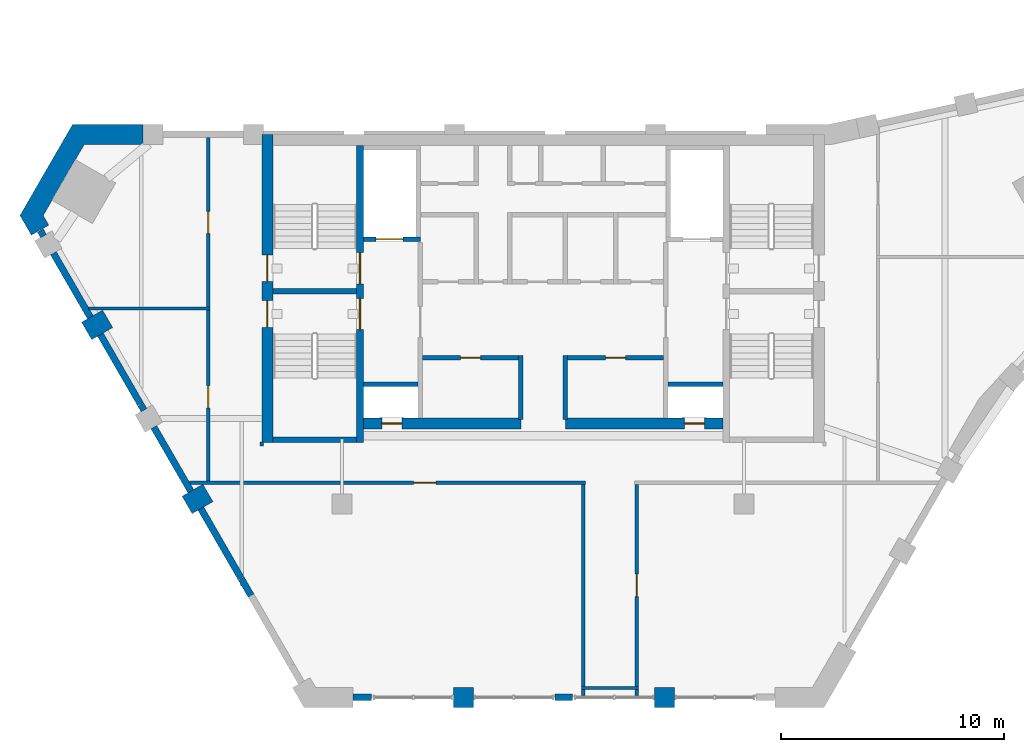
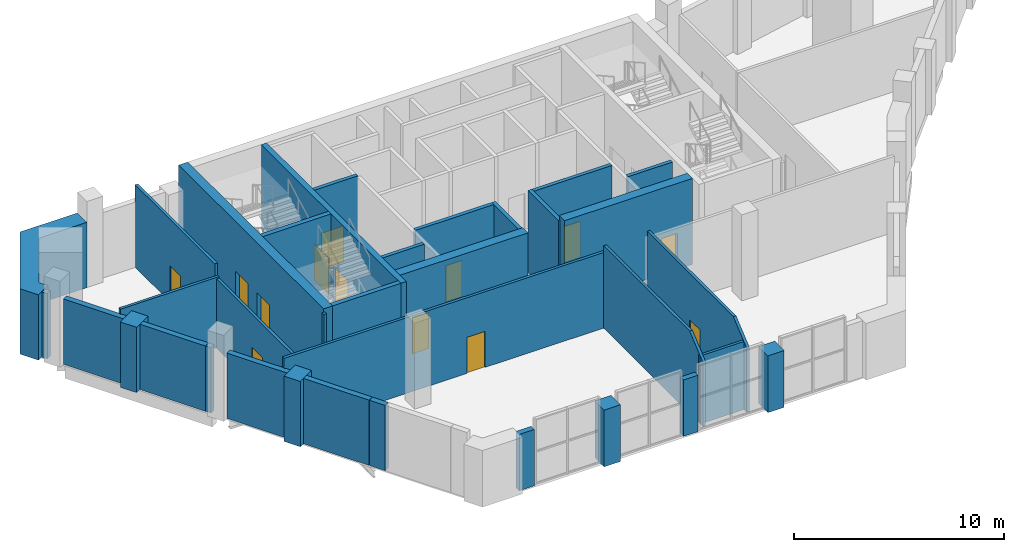
# One storey, part 4 of 9: 35 walls, 13 doors, 13 openings.
"""IFC4 building model written with IfcOpenShell, lengths in metres."""

from ifc_helpers import new_model, si_unit, direction, frame, frame_2d, origin, place, context, subcontext, project, spatial, polyline, rectangle, outline, extrude, material, layer, layer_set, type_object, element, fill, save


model = new_model("IFC4")

# Units and contexts
model_context = context("Model", 3, precision=1e-05, world=origin(), true_north=direction((0.0, 1.0)))
body_context = subcontext(model_context, "Body", "Model", "MODEL_VIEW")
ifc_project = project(units=[si_unit("LENGTHUNIT", "METRE"), si_unit("AREAUNIT", "SQUARE_METRE"), si_unit("VOLUMEUNIT", "CUBIC_METRE"), si_unit("PLANEANGLEUNIT", "RADIAN"), si_unit("MASSUNIT", "GRAM", prefix="KILO")], contexts=[model_context])

# Site, building, storey
site_placement = place(None, origin())
site = spatial("IfcSite", under=ifc_project, at=site_placement, CompositionType="ELEMENT")
building_placement = place(site_placement, origin())
building = spatial("IfcBuilding", under=site, at=building_placement, Name="Calabash Gate Tower", CompositionType="ELEMENT")
storey_placement = place(building_placement, frame((0.0, 0.0, 325.5)))
storey = spatial("IfcBuildingStorey", under=building, at=storey_placement, Name="L76", CompositionType="ELEMENT", Elevation=325.5)

# Walls
ifc_material_1 = material(Name="Terracotta brick masonry, exposed face", Category="masonry")
ifc_layer_1 = layer(ifc_material_1, 0.89990234375)
ifc_layer_set_1 = layer_set([ifc_layer_1], Name="Brick end wall 900")
wall_type_1 = type_object("IfcWallType", Name="Brick end wall 900", PredefinedType="SOLIDWALL", material=ifc_layer_set_1)
wall_1_placement = place(storey_placement, frame((-20.446044921875, 10.248046875, 0.0), z_axis=(0.0, 0.0, 1.0), x_axis=(0.866103179807, 0.499865263774, 0.0)))
element("IfcWall", 1, at=wall_1_placement, inside=storey, type_object=wall_type_1, Name="Brick pier L76 crown0.1", PredefinedType="SOLIDWALL", context=body_context, shape_type="SweptSolid", body=[
    extrude(rectangle(XDim=1.085205078125, YDim=0.89990234375, at=frame_2d((0.54248046875, 0.0))), origin(), (0.0, 0.0, 1.0), 3.800048828125),
])
wall_2_placement = place(storey_placement, frame((-15.946044921875, 2.453857421875, 0.0), z_axis=(0.0, 0.0, 1.0), x_axis=(0.86613636825, 0.499807754637, 0.0)))
element("IfcWall", 2, at=wall_2_placement, inside=storey, type_object=wall_type_1, Name="Brick pier L76 crown0.3", PredefinedType="SOLIDWALL", context=body_context, shape_type="SweptSolid", body=[
    extrude(rectangle(XDim=1.07373046875, YDim=0.89990234375, at=frame_2d((0.536865234375, 0.0))), origin(), (0.0, 0.0, 1.0), 3.800048828125),
])
wall_3_placement = place(storey_placement, origin())
element("IfcWall", 3, at=wall_3_placement, inside=storey, type_object=wall_type_1, Name="Brick pier L76 crown1.1", PredefinedType="SOLIDWALL", context=body_context, shape_type="SweptSolid", body=[
    extrude(outline(polyline([(-3.114013671875, -5.713134765625), (-4.01416015625, -5.713134765625), (-4.01416015625, -6.61328125), (-3.114013671875, -6.61328125), (-3.114013671875, -5.713134765625)])), origin(), (0.0, 0.0, 1.0), 3.29736328125),
])
wall_4_placement = place(storey_placement, origin())
element("IfcWall", 4, at=wall_4_placement, inside=storey, type_object=wall_type_1, Name="Brick pier L76 crown1.3", PredefinedType="SOLIDWALL", context=body_context, shape_type="SweptSolid", body=[
    extrude(outline(polyline([(5.885986328125, -5.713134765625), (4.98583984375, -5.713134765625), (4.98583984375, -6.61328125), (5.885986328125, -6.61328125), (5.885986328125, -5.713134765625)])), origin(), (0.0, 0.0, 1.0), 3.29736328125),
])
wall_5_placement = place(storey_placement, origin())
element("IfcWall", 5, at=wall_5_placement, inside=storey, type_object=wall_type_1, Name="Brick end wall L76 6", PredefinedType="SOLIDWALL", context=body_context, shape_type="SweptSolid", body=[
    extrude(outline(polyline([(-17.915771484375, 18.6025390625), (-17.916015625, 19.50244140625), (-21.072509765625, 19.50244140625), (-23.430908203125, 15.41796875), (-22.9208984375, 14.534912109375), (-22.1416015625, 14.98486328125), (-22.3916015625, 15.41796875), (-20.552978515625, 18.6025390625), (-17.915771484375, 18.6025390625)])), origin(), (0.0, 0.0, 1.0), 3.800048828125),
])
ifc_material_2 = material(Name="Gypsum board on steel studs, mineral wool", Category="steel")
ifc_layer_2 = layer(ifc_material_2, 0.199951171875)
ifc_layer_set_2 = layer_set([ifc_layer_2], Name="Core partition 200 gypsum board")
wall_type_2 = type_object("IfcWallType", Name="Core partition 200 gypsum board", PredefinedType="PARTITIONING", material=ifc_layer_set_2)
for number, where, z_axis, x_axis, name in (
    (6, (-1.0, 6.272705078125, 0.0), (0.0, 0.0, 1.0), (0.0, 1.0, 0.0), "Core partition"),
    (7, (1.0, 6.272705078125, 0.0), (0.0, 0.0, 1.0), (0.0, 1.0, 0.0), "Core partition"),
):
    element("IfcWall", number, at=place(storey_placement, frame(where, z_axis=z_axis, x_axis=x_axis)), inside=storey, type_object=wall_type_2, Name=name, PredefinedType="PARTITIONING", context=body_context, shape_type="SweptSolid", body=[
        extrude(rectangle(XDim=2.8798828125, YDim=0.199951171875, at=frame_2d((1.43994140625, 0.0))), origin(), (0.0, 0.0, 1.0), 4.800048828125),
    ])

# Wall, opening, door
wall_6_placement = place(storey_placement, frame((-5.39990234375, 9.052490234375, 0.0), z_axis=(0.0, 0.0, 1.0), x_axis=(1.0, 0.0, 0.0)))
wall_6 = element("IfcWall", 8, at=wall_6_placement, inside=storey, type_object=wall_type_2, Name="Core partition", PredefinedType="PARTITIONING", context=body_context, shape_type="SweptSolid", body=[
    extrude(rectangle(XDim=4.2998046875, YDim=0.199951171875, at=frame_2d((2.14990234375, 0.0))), origin(), (0.0, 0.0, 1.0), 4.800048828125),
])
opening_1_placement = place(wall_6_placement, frame((1.699951171875, 0.0, 0.0)))
opening_1 = element("IfcOpeningElement", 9, at=opening_1_placement, cuts=wall_6, Name="Opening L76-016", PredefinedType="OPENING", context=body_context, shape_type="SweptSolid", body=[
    extrude(rectangle(XDim=0.89990234375, YDim=2.10009765625, at=frame_2d((0.449951171875, 1.050048828125))), frame((0.0, 0.10986328125, 0.0), z_axis=(0.0, -1.0, 0.0), x_axis=(1.0, 0.0, 0.0)), (0.0, 0.0, 1.0), 0.219970703125),
])
ifc_material_3 = material(Name="Steel fire door set with fire-resisting glazing", Category="steel")
door_type_1 = type_object("IfcDoorType", Name="Fire door D06 900x2100 FD60", OperationType="NOTDEFINED", PredefinedType="DOOR", material=ifc_material_3)
door_1_placement = place(opening_1_placement, origin())
door_1 = element("IfcDoor", 10, at=door_1_placement, inside=storey, type_object=door_type_1, Name="Plant Workshop door", OperationType="SINGLE_SWING_RIGHT", OverallHeight=2.10009765625, OverallWidth=0.89990234375, PredefinedType="DOOR", context=body_context, shape_type="SweptSolid", body=[
    extrude(rectangle(XDim=0.89990234375, YDim=2.10009765625, at=frame_2d((0.449951171875, 1.050048828125))), frame((0.0, 0.02490234375, 0.0), z_axis=(0.0, -1.0, 0.0), x_axis=(1.0, 0.0, 0.0)), (0.0, 0.0, 1.0), 0.050048828125),
])
fill(opening_1, door_1)

wall_7_placement = place(storey_placement, frame((1.10009765625, 9.052490234375, 0.0), z_axis=(0.0, 0.0, 1.0), x_axis=(1.0, 0.0, 0.0)))
wall_7 = element("IfcWall", 11, at=wall_7_placement, inside=storey, type_object=wall_type_2, Name="Core partition", PredefinedType="PARTITIONING", context=body_context, shape_type="SweptSolid", body=[
    extrude(rectangle(XDim=4.2998046875, YDim=0.199951171875, at=frame_2d((2.14990234375, 0.0))), origin(), (0.0, 0.0, 1.0), 4.800048828125),
])
opening_2_placement = place(wall_7_placement, frame((1.699951171875, 0.0, 0.0)))
opening_2 = element("IfcOpeningElement", 12, at=opening_2_placement, cuts=wall_7, Name="Opening L76-017", PredefinedType="OPENING", context=body_context, shape_type="SweptSolid", body=[
    extrude(rectangle(XDim=0.89990234375, YDim=2.10009765625, at=frame_2d((0.449951171875, 1.050048828125))), frame((0.0, 0.10986328125, 0.0), z_axis=(0.0, -1.0, 0.0), x_axis=(1.0, 0.0, 0.0)), (0.0, 0.0, 1.0), 0.219970703125),
])
door_2_placement = place(opening_2_placement, origin())
door_2 = element("IfcDoor", 13, at=door_2_placement, inside=storey, type_object=door_type_1, Name="Plant Spares Store door", OperationType="SINGLE_SWING_LEFT", OverallHeight=2.10009765625, OverallWidth=0.89990234375, PredefinedType="DOOR", context=body_context, shape_type="SweptSolid", body=[
    extrude(rectangle(XDim=0.89990234375, YDim=2.10009765625, at=frame_2d((0.449951171875, 1.050048828125))), frame((0.0, 0.02490234375, 0.0), z_axis=(0.0, -1.0, 0.0), x_axis=(1.0, 0.0, 0.0)), (0.0, 0.0, 1.0), 0.050048828125),
])
fill(opening_2, door_2)

# Walls
ifc_material_4 = material(Name="Concrete C60/75", Category="concrete")
ifc_layer_3 = layer(ifc_material_4, 0.25)
ifc_layer_set_3 = layer_set([ifc_layer_3], Name="Core wall 250 Concrete C60/75")
wall_type_3 = type_object("IfcWallType", Name="Core wall 250 Concrete C60/75", PredefinedType="SHEAR", material=ifc_layer_set_3)
for number, where, z_axis, x_axis, name in (
    (14, (-12.10009765625, 12.027587890625, 0.0), (0.0, 0.0, 1.0), (1.0, 0.0, 0.0), "Core wall C-MIDW L76"),
    (15, (-12.10009765625, 5.377685546875, 0.0), (0.0, 0.0, 1.0), (1.0, 0.0, 0.0), "Core wall C-SSW L76"),
):
    element("IfcWall", number, at=place(storey_placement, frame(where, z_axis=z_axis, x_axis=x_axis)), inside=storey, type_object=wall_type_3, Name=name, PredefinedType="SHEAR", context=body_context, shape_type="SweptSolid", body=[
        extrude(rectangle(XDim=3.75, YDim=0.25, at=frame_2d((1.875, 0.0))), origin(), (0.0, 0.0, 1.0), 5.0),
    ])

# Wall, openings, doors
ifc_material_5 = material(Name="Concrete C60/75", Category="concrete")
ifc_layer_4 = layer(ifc_material_5, 0.300048828125)
ifc_layer_set_4 = layer_set([ifc_layer_4], Name="Core wall 300 Concrete C60/75")
wall_type_4 = type_object("IfcWallType", Name="Core wall 300 Concrete C60/75", PredefinedType="SHEAR", material=ifc_layer_set_4)
wall_8_placement = place(storey_placement, frame((-8.199951171875, 5.252685546875, 0.0), z_axis=(0.0, 0.0, 1.0), x_axis=(0.0, 1.0, 0.0)))
wall_8 = element("IfcWall", 16, at=wall_8_placement, inside=storey, type_object=wall_type_4, Name="Core wall C-PARTW L76", PredefinedType="SHEAR", context=body_context, shape_type="SweptSolid", body=[
    extrude(rectangle(XDim=13.2998046875, YDim=0.300048828125, at=frame_2d((6.64990234375, 0.0))), origin(), (0.0, 0.0, 1.0), 5.0),
])
opening_3_placement = place(wall_8_placement, frame((7.10009765625, 0.0, 0.0)))
opening_3 = element("IfcOpeningElement", 17, at=opening_3_placement, cuts=wall_8, Name="Opening L76-001", PredefinedType="OPENING", context=body_context, shape_type="SweptSolid", body=[
    extrude(rectangle(XDim=1.39990234375, YDim=2.10009765625, at=frame_2d((0.699951171875, 1.050048828125))), frame((0.0, 0.159912109375, 0.0), z_axis=(0.0, -1.0, 0.0), x_axis=(1.0, 0.0, 0.0)), (0.0, 0.0, 1.0), 0.320068359375),
])
opening_4_placement = place(wall_8_placement, frame((5.050048828125, 0.0, 0.0)))
opening_4 = element("IfcOpeningElement", 18, at=opening_4_placement, cuts=wall_8, Name="Opening L76-002", PredefinedType="OPENING", context=body_context, shape_type="SweptSolid", body=[
    extrude(rectangle(XDim=1.39990234375, YDim=2.10009765625, at=frame_2d((0.699951171875, 1.050048828125))), frame((0.0, 0.159912109375, 0.0), z_axis=(0.0, -1.0, 0.0), x_axis=(1.0, 0.0, 0.0)), (0.0, 0.0, 1.0), 0.320068359375),
])
ifc_material_6 = material(Name="Steel fire door set with fire-resisting glazing", Category="steel")
door_type_2 = type_object("IfcDoorType", Name="Fire door D05 1400x2100 FD90", OperationType="NOTDEFINED", PredefinedType="DOOR", material=ifc_material_6)
door_3_placement = place(opening_3_placement, origin())
door_3 = element("IfcDoor", 19, at=door_3_placement, inside=storey, type_object=door_type_2, Name="Exit stair door ST1", OperationType="SINGLE_SWING_LEFT", OverallHeight=2.10009765625, OverallWidth=1.39990234375, PredefinedType="DOOR", context=body_context, shape_type="SweptSolid", body=[
    extrude(rectangle(XDim=1.39990234375, YDim=2.10009765625, at=frame_2d((0.699951171875, 1.050048828125))), frame((0.0, 0.02490234375, 0.0), z_axis=(0.0, -1.0, 0.0), x_axis=(1.0, 0.0, 0.0)), (0.0, 0.0, 1.0), 0.050048828125),
])
fill(opening_3, door_3)
door_4_placement = place(opening_4_placement, origin())
door_4 = element("IfcDoor", 20, at=door_4_placement, inside=storey, type_object=door_type_2, Name="Exit stair door ST2", OperationType="SINGLE_SWING_LEFT", OverallHeight=2.10009765625, OverallWidth=1.39990234375, PredefinedType="DOOR", context=body_context, shape_type="SweptSolid", body=[
    extrude(rectangle(XDim=1.39990234375, YDim=2.10009765625, at=frame_2d((0.699951171875, 1.050048828125))), frame((0.0, 0.02490234375, 0.0), z_axis=(0.0, -1.0, 0.0), x_axis=(1.0, 0.0, 0.0)), (0.0, 0.0, 1.0), 0.050048828125),
])
fill(opening_4, door_4)

ifc_material_7 = material(Name="Concrete C60/75", Category="concrete")
ifc_layer_5 = layer(ifc_material_7, 0.5)
ifc_layer_set_5 = layer_set([ifc_layer_5], Name="Core wall 500 Concrete C60/75")
wall_type_5 = type_object("IfcWallType", Name="Core wall 500 Concrete C60/75", PredefinedType="SHEAR", material=ifc_layer_set_5)
wall_9_placement = place(storey_placement, frame((-12.35009765625, 5.252685546875, 0.0), z_axis=(0.0, 0.0, 1.0), x_axis=(0.0, 1.0, 0.0)))
wall_9 = element("IfcWall", 21, at=wall_9_placement, inside=storey, type_object=wall_type_5, Name="Core wall C-COLW L76", PredefinedType="SHEAR", context=body_context, shape_type="SweptSolid", body=[
    extrude(rectangle(XDim=13.7998046875, YDim=0.5, at=frame_2d((6.89990234375, 0.0))), origin(), (0.0, 0.0, 1.0), 5.0),
])
opening_5_placement = place(wall_9_placement, frame((7.199951171875, 0.0, 0.0)))
opening_5 = element("IfcOpeningElement", 22, at=opening_5_placement, cuts=wall_9, Name="Opening L76-005", PredefinedType="OPENING", context=body_context, shape_type="SweptSolid", body=[
    extrude(rectangle(XDim=1.199951171875, YDim=2.10009765625, at=frame_2d((0.60009765625, 1.050048828125))), frame((0.0, 0.260009765625, 0.0), z_axis=(0.0, -1.0, 0.0), x_axis=(1.0, 0.0, 0.0)), (0.0, 0.0, 1.0), 0.52001953125),
])
opening_6_placement = place(wall_9_placement, frame((5.14990234375, 0.0, 0.0)))
opening_6 = element("IfcOpeningElement", 23, at=opening_6_placement, cuts=wall_9, Name="Opening L76-006", PredefinedType="OPENING", context=body_context, shape_type="SweptSolid", body=[
    extrude(rectangle(XDim=1.199951171875, YDim=2.10009765625, at=frame_2d((0.60009765625, 1.050048828125))), frame((0.0, 0.260009765625, 0.0), z_axis=(0.0, -1.0, 0.0), x_axis=(1.0, 0.0, 0.0)), (0.0, 0.0, 1.0), 0.52001953125),
])
ifc_material_8 = material(Name="Steel fire door set with fire-resisting glazing", Category="steel")
door_type_3 = type_object("IfcDoorType", Name="Fire door D10 1200x2100 FD90", OperationType="NOTDEFINED", PredefinedType="DOOR", material=ifc_material_8)
door_5_placement = place(opening_5_placement, origin())
door_5 = element("IfcDoor", 24, at=door_5_placement, inside=storey, type_object=door_type_3, Name="Exit stair door ST1", OperationType="SINGLE_SWING_RIGHT", OverallHeight=2.10009765625, OverallWidth=1.199951171875, PredefinedType="DOOR", context=body_context, shape_type="SweptSolid", body=[
    extrude(rectangle(XDim=1.199951171875, YDim=2.10009765625, at=frame_2d((0.60009765625, 1.050048828125))), frame((0.0, 0.02490234375, 0.0), z_axis=(0.0, -1.0, 0.0), x_axis=(1.0, 0.0, 0.0)), (0.0, 0.0, 1.0), 0.050048828125),
])
fill(opening_5, door_5)
door_6_placement = place(opening_6_placement, origin())
door_6 = element("IfcDoor", 25, at=door_6_placement, inside=storey, type_object=door_type_3, Name="Exit stair door ST2", OperationType="SINGLE_SWING_LEFT", OverallHeight=2.10009765625, OverallWidth=1.199951171875, PredefinedType="DOOR", context=body_context, shape_type="SweptSolid", body=[
    extrude(rectangle(XDim=1.199951171875, YDim=2.10009765625, at=frame_2d((0.60009765625, 1.050048828125))), frame((0.0, 0.02490234375, 0.0), z_axis=(0.0, -1.0, 0.0), x_axis=(1.0, 0.0, 0.0)), (0.0, 0.0, 1.0), 0.050048828125),
])
fill(opening_6, door_6)

# Wall, opening, door
wall_10_placement = place(storey_placement, frame((-8.050048828125, 6.1025390625, 0.0), z_axis=(0.0, 0.0, 1.0), x_axis=(1.0, 0.0, 0.0)))
wall_10 = element("IfcWall", 26, at=wall_10_placement, inside=storey, type_object=wall_type_5, Name="Core wall C-SA L76", PredefinedType="SHEAR", context=body_context, shape_type="SweptSolid", body=[
    extrude(rectangle(XDim=7.050048828125, YDim=0.5, at=frame_2d((3.52490234375, 0.0))), origin(), (0.0, 0.0, 1.0), 5.0),
])
opening_7_placement = place(wall_10_placement, frame((0.824951171875, 0.0, 0.0)))
opening_7 = element("IfcOpeningElement", 27, at=opening_7_placement, cuts=wall_10, Name="Opening L76-022", PredefinedType="OPENING", context=body_context, shape_type="SweptSolid", body=[
    extrude(rectangle(XDim=0.89990234375, YDim=2.10009765625, at=frame_2d((0.449951171875, 1.050048828125))), frame((0.0, 0.260009765625, 0.0), z_axis=(0.0, -1.0, 0.0), x_axis=(1.0, 0.0, 0.0)), (0.0, 0.0, 1.0), 0.52001953125),
])
ifc_material_9 = material(Name="Steel fire door set with fire-resisting glazing", Category="steel")
door_type_4 = type_object("IfcDoorType", Name="Fire door D07 900x2100 FD90", OperationType="NOTDEFINED", PredefinedType="DOOR", material=ifc_material_9)
door_7_placement = place(opening_7_placement, origin())
door_7 = element("IfcDoor", 28, at=door_7_placement, inside=storey, type_object=door_type_4, Name="Electrical Riser W door", OperationType="SINGLE_SWING_LEFT", OverallHeight=2.10009765625, OverallWidth=0.89990234375, PredefinedType="DOOR", context=body_context, shape_type="SweptSolid", body=[
    extrude(rectangle(XDim=0.89990234375, YDim=2.10009765625, at=frame_2d((0.449951171875, 1.050048828125))), frame((0.0, 0.02490234375, 0.0), z_axis=(0.0, -1.0, 0.0), x_axis=(1.0, 0.0, 0.0)), (0.0, 0.0, 1.0), 0.050048828125),
])
fill(opening_7, door_7)

wall_11_placement = place(storey_placement, frame((1.0, 6.1025390625, 0.0), z_axis=(0.0, 0.0, 1.0), x_axis=(1.0, 0.0, 0.0)))
wall_11 = element("IfcWall", 29, at=wall_11_placement, inside=storey, type_object=wall_type_5, Name="Core wall C-SB L76", PredefinedType="SHEAR", context=body_context, shape_type="SweptSolid", body=[
    extrude(rectangle(XDim=7.050048828125, YDim=0.5, at=frame_2d((3.52490234375, 0.0))), origin(), (0.0, 0.0, 1.0), 5.0),
])
opening_8_placement = place(wall_11_placement, frame((5.324951171875, 0.0, 0.0)))
opening_8 = element("IfcOpeningElement", 30, at=opening_8_placement, cuts=wall_11, Name="Opening L76-023", PredefinedType="OPENING", context=body_context, shape_type="SweptSolid", body=[
    extrude(rectangle(XDim=0.89990234375, YDim=2.10009765625, at=frame_2d((0.449951171875, 1.050048828125))), frame((0.0, 0.260009765625, 0.0), z_axis=(0.0, -1.0, 0.0), x_axis=(1.0, 0.0, 0.0)), (0.0, 0.0, 1.0), 0.52001953125),
])
door_8_placement = place(opening_8_placement, origin())
door_8 = element("IfcDoor", 31, at=door_8_placement, inside=storey, type_object=door_type_4, Name="Mechanical Riser E door", OperationType="SINGLE_SWING_RIGHT", OverallHeight=2.10009765625, OverallWidth=0.89990234375, PredefinedType="DOOR", context=body_context, shape_type="SweptSolid", body=[
    extrude(rectangle(XDim=0.89990234375, YDim=2.10009765625, at=frame_2d((0.449951171875, 1.050048828125))), frame((0.0, 0.02490234375, 0.0), z_axis=(0.0, -1.0, 0.0), x_axis=(1.0, 0.0, 0.0)), (0.0, 0.0, 1.0), 0.050048828125),
])
fill(opening_8, door_8)

# Walls
ifc_material_10 = material(Name="Gypsum board on steel studs, mineral wool", Category="steel")
ifc_layer_6 = layer(ifc_material_10, 0.14990234375)
ifc_layer_set_6 = layer_set([ifc_layer_6], Name="Partition 150 gypsum board")
wall_type_6 = type_object("IfcWallType", Name="Partition 150 gypsum board", PredefinedType="PARTITIONING", material=ifc_layer_set_6)
wall_12_placement = place(storey_placement, frame((1.72509765625, -5.747314453125, 0.0), z_axis=(0.0, 0.0, 1.0), x_axis=(1.0, 0.0, 0.0)))
element("IfcWall", 32, at=wall_12_placement, inside=storey, type_object=wall_type_6, Name="Partition", PredefinedType="PARTITIONING", context=body_context, shape_type="SweptSolid", body=[
    extrude(rectangle(XDim=2.5498046875, YDim=0.14990234375, at=frame_2d((1.27490234375, 0.0))), origin(), (0.0, 0.0, 1.0), 3.9609375),
])
wall_13_placement = place(storey_placement, frame((1.800048828125, -6.083251953125, 0.0), z_axis=(0.0, 0.0, 1.0), x_axis=(0.0, 1.0, 0.0)))
element("IfcWall", 33, at=wall_13_placement, inside=storey, type_object=wall_type_6, Name="Partition", PredefinedType="PARTITIONING", context=body_context, shape_type="SweptSolid", body=[
    extrude(outline(polyline([(0.0, 0.0), (9.4609375, 0.0), (9.460693359375, 4.800048828125), (1.2607421875, 4.800048828125), (0.0, 3.7421875), (0.0, 0.0)])), frame((0.0, 0.074951171875, 0.0), z_axis=(0.0, -1.0, 0.0), x_axis=(1.0, 0.0, 0.0)), (0.0, 0.0, 1.0), 0.14990234375),
])

# Wall, opening, door
wall_14_placement = place(storey_placement, frame((4.199951171875, -6.083251953125, 0.0), z_axis=(0.0, 0.0, 1.0), x_axis=(0.0, 1.0, 0.0)))
wall_14 = element("IfcWall", 34, at=wall_14_placement, inside=storey, type_object=wall_type_6, Name="Partition", PredefinedType="PARTITIONING", context=body_context, shape_type="SweptSolid", body=[
    extrude(outline(polyline([(0.0, 0.0), (9.4609375, 0.0), (9.460693359375, 4.800048828125), (1.2607421875, 4.800048828125), (0.0, 3.7421875), (0.0, 0.0)])), frame((0.0, 0.074951171875, 0.0), z_axis=(0.0, -1.0, 0.0), x_axis=(1.0, 0.0, 0.0)), (0.0, 0.0, 1.0), 0.14990234375),
])
opening_9_placement = place(wall_14_placement, frame((4.435791015625, 0.0, 0.0)))
opening_9 = element("IfcOpeningElement", 35, at=opening_9_placement, cuts=wall_14, Name="Opening L76-029", PredefinedType="OPENING", context=body_context, shape_type="SweptSolid", body=[
    extrude(rectangle(XDim=1.0, YDim=2.10009765625, at=frame_2d((0.5, 1.050048828125))), frame((0.0, 0.0849609375, 0.0), z_axis=(0.0, -1.0, 0.0), x_axis=(1.0, 0.0, 0.0)), (0.0, 0.0, 1.0), 0.169921875),
])
ifc_material_11 = material(Name="Steel fire door set with fire-resisting glazing", Category="steel")
door_type_5 = type_object("IfcDoorType", Name="Fire door D11 1000x2100 FD60", OperationType="NOTDEFINED", PredefinedType="DOOR", material=ifc_material_11)
door_9_placement = place(opening_9_placement, origin())
door_9 = element("IfcDoor", 36, at=door_9_placement, inside=storey, type_object=door_type_5, Name="Generator Room door", OperationType="SINGLE_SWING_RIGHT", OverallHeight=2.10009765625, OverallWidth=1.0, PredefinedType="DOOR", context=body_context, shape_type="SweptSolid", body=[
    extrude(rectangle(XDim=1.0, YDim=2.10009765625, at=frame_2d((0.5, 1.050048828125))), frame((0.0, 0.02490234375, 0.0), z_axis=(0.0, -1.0, 0.0), x_axis=(1.0, 0.0, 0.0)), (0.0, 0.0, 1.0), 0.050048828125),
])
fill(opening_9, door_9)

wall_15_placement = place(storey_placement, frame((-15.849853515625, 3.45263671875, 0.0), z_axis=(0.0, 0.0, 1.0), x_axis=(1.0, 0.0, 0.0)))
wall_15 = element("IfcWall", 37, at=wall_15_placement, inside=storey, type_object=wall_type_6, Name="Partition", PredefinedType="PARTITIONING", context=body_context, shape_type="SweptSolid", body=[
    extrude(rectangle(XDim=17.7548828125, YDim=0.14990234375, at=frame_2d((8.87744140625, 0.0))), origin(), (0.0, 0.0, 1.0), 4.401611328125),
])
opening_10_placement = place(wall_15_placement, frame((10.0498046875, 0.0, 0.0)))
opening_10 = element("IfcOpeningElement", 38, at=opening_10_placement, cuts=wall_15, Name="Opening L76-028", PredefinedType="OPENING", context=body_context, shape_type="SweptSolid", body=[
    extrude(rectangle(XDim=1.0, YDim=2.10009765625, at=frame_2d((0.5, 1.050048828125))), frame((0.0, 0.0849609375, 0.0), z_axis=(0.0, -1.0, 0.0), x_axis=(1.0, 0.0, 0.0)), (0.0, 0.0, 1.0), 0.169921875),
])
door_10_placement = place(opening_10_placement, origin())
door_10 = element("IfcDoor", 39, at=door_10_placement, inside=storey, type_object=door_type_5, Name="Smoke Extract Plant Room door", OperationType="SINGLE_SWING_RIGHT", OverallHeight=2.10009765625, OverallWidth=1.0, PredefinedType="DOOR", context=body_context, shape_type="SweptSolid", body=[
    extrude(rectangle(XDim=1.0, YDim=2.10009765625, at=frame_2d((0.5, 1.050048828125))), frame((0.0, 0.02490234375, 0.0), z_axis=(0.0, -1.0, 0.0), x_axis=(1.0, 0.0, 0.0)), (0.0, 0.0, 1.0), 0.050048828125),
])
fill(opening_10, door_10)

wall_16_placement = place(storey_placement, frame((-15.0, 3.527587890625, 0.0), z_axis=(0.0, 0.0, 1.0), x_axis=(0.0, 1.0, 0.0)))
wall_16 = element("IfcWall", 40, at=wall_16_placement, inside=storey, type_object=wall_type_6, Name="Partition", PredefinedType="PARTITIONING", context=body_context, shape_type="SweptSolid", body=[
    extrude(rectangle(XDim=7.64990234375, YDim=0.14990234375, at=frame_2d((3.824951171875, 0.0))), origin(), (0.0, 0.0, 1.0), 4.02001953125),
])
opening_11_placement = place(wall_16_placement, frame((3.27490234375, 0.0, 0.0)))
opening_11 = element("IfcOpeningElement", 41, at=opening_11_placement, cuts=wall_16, Name="Opening L76-025", PredefinedType="OPENING", context=body_context, shape_type="SweptSolid", body=[
    extrude(rectangle(XDim=1.0, YDim=2.10009765625, at=frame_2d((0.5, 1.050048828125))), frame((0.0, 0.0849609375, 0.0), z_axis=(0.0, -1.0, 0.0), x_axis=(1.0, 0.0, 0.0)), (0.0, 0.0, 1.0), 0.169921875),
])
door_11_placement = place(opening_11_placement, origin())
door_11 = element("IfcDoor", 42, at=door_11_placement, inside=storey, type_object=door_type_5, Name="Water Tank Room door", OperationType="SINGLE_SWING_RIGHT", OverallHeight=2.10009765625, OverallWidth=1.0, PredefinedType="DOOR", context=body_context, shape_type="SweptSolid", body=[
    extrude(rectangle(XDim=1.0, YDim=2.10009765625, at=frame_2d((0.5, 1.050048828125))), frame((0.0, 0.02490234375, 0.0), z_axis=(0.0, -1.0, 0.0), x_axis=(1.0, 0.0, 0.0)), (0.0, 0.0, 1.0), 0.050048828125),
])
fill(opening_11, door_11)

# Walls
wall_17_placement = place(storey_placement, frame((-12.60009765625, 5.09765625, 0.0), z_axis=(0.0, 0.0, 1.0), x_axis=(0.0, 1.0, 0.0)))
element("IfcWall", 43, at=wall_17_placement, inside=storey, type_object=wall_type_6, Name="Partition", PredefinedType="PARTITIONING", context=body_context, shape_type="SweptSolid", body=[
    extrude(rectangle(XDim=0.179931640625, YDim=0.14990234375, at=frame_2d((0.08984375, 0.0))), origin(), (0.0, 0.0, 1.0), 4.800048828125),
])
wall_18_placement = place(storey_placement, frame((-20.35302734375, 11.252685546875, 0.0), z_axis=(0.0, 0.0, 1.0), x_axis=(1.0, 0.0, 0.0)))
element("IfcWall", 44, at=wall_18_placement, inside=storey, type_object=wall_type_6, Name="Partition", PredefinedType="PARTITIONING", context=body_context, shape_type="SweptSolid", body=[
    extrude(rectangle(XDim=5.427978515625, YDim=0.14990234375, at=frame_2d((2.7138671875, 0.0))), origin(), (0.0, 0.0, 1.0), 4.10009765625),
])

# Wall, opening, door
wall_19_placement = place(storey_placement, frame((-15.0, 11.32763671875, 0.0), z_axis=(0.0, 0.0, 1.0), x_axis=(0.0, 1.0, 0.0)))
wall_19 = element("IfcWall", 45, at=wall_19_placement, inside=storey, type_object=wall_type_6, Name="Partition", PredefinedType="PARTITIONING", context=body_context, shape_type="SweptSolid", body=[
    extrude(rectangle(XDim=7.594970703125, YDim=0.14990234375, at=frame_2d((3.79736328125, 0.0))), origin(), (0.0, 0.0, 1.0), 4.800048828125),
])
opening_12_placement = place(wall_19_placement, frame((3.27490234375, 0.0, 0.0)))
opening_12 = element("IfcOpeningElement", 46, at=opening_12_placement, cuts=wall_19, Name="Opening L76-024", PredefinedType="OPENING", context=body_context, shape_type="SweptSolid", body=[
    extrude(rectangle(XDim=1.0, YDim=2.10009765625, at=frame_2d((0.5, 1.050048828125))), frame((0.0, 0.0849609375, 0.0), z_axis=(0.0, -1.0, 0.0), x_axis=(1.0, 0.0, 0.0)), (0.0, 0.0, 1.0), 0.169921875),
])
door_12_placement = place(opening_12_placement, origin())
door_12 = element("IfcDoor", 47, at=door_12_placement, inside=storey, type_object=door_type_5, Name="Smoke Extract Plant Room door", OperationType="SINGLE_SWING_LEFT", OverallHeight=2.10009765625, OverallWidth=1.0, PredefinedType="DOOR", context=body_context, shape_type="SweptSolid", body=[
    extrude(rectangle(XDim=1.0, YDim=2.10009765625, at=frame_2d((0.5, 1.050048828125))), frame((0.0, 0.02490234375, 0.0), z_axis=(0.0, -1.0, 0.0), x_axis=(1.0, 0.0, 0.0)), (0.0, 0.0, 1.0), 0.050048828125),
])
fill(opening_12, door_12)

# Walls
ifc_material_12 = material(Name="Concrete C40/50", Category="concrete")
ifc_layer_7 = layer(ifc_material_12, 0.199951171875)
ifc_layer_set_7 = layer_set([ifc_layer_7], Name="Shaft wall 200 Concrete C40/50")
wall_type_7 = type_object("IfcWallType", Name="Shaft wall 200 Concrete C40/50", PredefinedType="SOLIDWALL", material=ifc_layer_set_7)
for number, where, z_axis, x_axis, name in (
    (48, (-8.050048828125, 7.8525390625, 0.0), (0.0, 0.0, 1.0), (1.0, 0.0, 0.0), "Shaft wall"),
    (49, (5.60009765625, 7.8525390625, 0.0), (0.0, 0.0, 1.0), (1.0, 0.0, 0.0), "Shaft wall"),
):
    element("IfcWall", number, at=place(storey_placement, frame(where, z_axis=z_axis, x_axis=x_axis)), inside=storey, type_object=wall_type_7, Name=name, PredefinedType="SOLIDWALL", context=body_context, shape_type="SweptSolid", body=[
        extrude(rectangle(XDim=2.449951171875, YDim=0.199951171875, at=frame_2d((1.22509765625, 0.0))), origin(), (0.0, 0.0, 1.0), 4.800048828125),
    ])

# Wall, opening, door
wall_20_placement = place(storey_placement, frame((-8.050048828125, 14.3525390625, 0.0), z_axis=(0.0, 0.0, 1.0), x_axis=(1.0, 0.0, 0.0)))
wall_20 = element("IfcWall", 50, at=wall_20_placement, inside=storey, type_object=wall_type_7, Name="Shaft wall", PredefinedType="SOLIDWALL", context=body_context, shape_type="SweptSolid", body=[
    extrude(rectangle(XDim=2.550048828125, YDim=0.199951171875, at=frame_2d((1.27490234375, 0.0))), origin(), (0.0, 0.0, 1.0), 4.800048828125),
])
opening_13_placement = place(wall_20_placement, frame((0.574951171875, 0.0, 0.0)))
opening_13 = element("IfcOpeningElement", 51, at=opening_13_placement, cuts=wall_20, Name="Opening LD-FF1", PredefinedType="OPENING", context=body_context, shape_type="SweptSolid", body=[
    extrude(rectangle(XDim=1.199951171875, YDim=2.10009765625, at=frame_2d((0.60009765625, 1.050048828125))), frame((0.0, 0.10986328125, 0.0), z_axis=(0.0, -1.0, 0.0), x_axis=(1.0, 0.0, 0.0)), (0.0, 0.0, 1.0), 0.219970703125),
])
ifc_material_13 = material(Name="Stainless steel sliding door leaves", Category="steel")
door_type_6 = type_object("IfcDoorType", Name="Lift landing door LS3 1200x2100 FD90", OperationType="DOUBLE_DOOR_SLIDING", PredefinedType="DOOR", material=ifc_material_13)
door_13_placement = place(opening_13_placement, origin())
door_13 = element("IfcDoor", 52, at=door_13_placement, inside=storey, type_object=door_type_6, Name="Lift landing door FF1", OperationType="DOUBLE_DOOR_SLIDING", OverallHeight=2.10009765625, OverallWidth=1.199951171875, PredefinedType="DOOR", context=body_context, shape_type="SweptSolid", body=[
    extrude(rectangle(XDim=1.199951171875, YDim=2.10009765625, at=frame_2d((0.60009765625, 1.050048828125))), frame((0.0, 0.02490234375, 0.0), z_axis=(0.0, -1.0, 0.0), x_axis=(1.0, 0.0, 0.0)), (0.0, 0.0, 1.0), 0.050048828125),
])
fill(opening_13, door_13)

# Walls
ifc_material_14 = material(Name="Terracotta louvre blades in an aluminium frame", Category="masonry")
ifc_layer_8 = layer(ifc_material_14, 0.300048828125)
ifc_layer_set_8 = layer_set([ifc_layer_8], Name="Terracotta louvre wall 300")
wall_type_8 = type_object("IfcWallType", Name="Terracotta louvre wall 300", PredefinedType="ELEMENTEDWALL", material=ifc_layer_set_8)
wall_21_placement = place(storey_placement, origin())
element("IfcWall", 53, at=wall_21_placement, inside=storey, type_object=wall_type_8, Name="LOUVRE L76 crown0.1", PredefinedType="ELEMENTEDWALL", context=body_context, shape_type="SweptSolid", body=[
    extrude(outline(polyline([(-20.1513671875, 10.937744140625), (-21.806884765625, 13.805419921875), (-22.066650390625, 13.6552734375), (-20.4111328125, 10.787841796875), (-20.1513671875, 10.937744140625)])), origin(), (0.0, 0.0, 1.0), 3.800048828125),
])
wall_22_placement = place(storey_placement, frame((-19.831298828125, 10.083251953125, 0.0), z_axis=(0.0, 0.0, 1.0), x_axis=(0.500012057535, -0.866018442252, 0.0)))
element("IfcWall", 54, at=wall_22_placement, inside=storey, type_object=wall_type_8, Name="LOUVRE L76 crown0.2", PredefinedType="ELEMENTEDWALL", context=body_context, shape_type="SweptSolid", body=[
    extrude(rectangle(XDim=3.60009765625, YDim=0.300048828125, at=frame_2d((1.800048828125, 0.0))), origin(), (0.0, 0.0, 1.0), 3.800048828125),
])
wall_23_placement = place(storey_placement, origin())
element("IfcWall", 55, at=wall_23_placement, inside=storey, type_object=wall_type_8, Name="LOUVRE L76 crown0.3", PredefinedType="ELEMENTEDWALL", context=body_context, shape_type="SweptSolid", body=[
    extrude(outline(polyline([(-15.6513671875, 3.1435546875), (-17.30712890625, 6.01123046875), (-17.56689453125, 5.861328125), (-15.9111328125, 2.99365234375), (-15.6513671875, 3.1435546875)])), origin(), (0.0, 0.0, 1.0), 3.800048828125),
])
wall_24_placement = place(storey_placement, frame((-15.331298828125, 2.2890625, 0.0), z_axis=(0.0, 0.0, 1.0), x_axis=(0.500012057535, -0.866018442252, 0.0)))
element("IfcWall", 56, at=wall_24_placement, inside=storey, type_object=wall_type_8, Name="LOUVRE L76 crown0.4", PredefinedType="ELEMENTEDWALL", context=body_context, shape_type="SweptSolid", body=[
    extrude(rectangle(XDim=3.60009765625, YDim=0.300048828125, at=frame_2d((1.800048828125, 0.0))), origin(), (0.0, 0.0, 1.0), 3.800048828125),
])
for number, where, z_axis, x_axis, name in (
    (57, (-22.57861328125, 14.5419921875, 0.0), (0.0, 0.0, 1.0), (0.866131372301, 0.499816412211, 0.0), "LOUVRE L76 edge crown0.c1"),
    (58, (-18.07861328125, 6.747802734375, 0.0), (0.0, 0.0, 1.0), (0.866131372301, 0.499816412211, 0.0), "LOUVRE L76 edge crown0.c2"),
):
    element("IfcWall", number, at=place(storey_placement, frame(where, z_axis=z_axis, x_axis=x_axis)), inside=storey, type_object=wall_type_8, Name=name, PredefinedType="ELEMENTEDWALL", context=body_context, shape_type="SweptSolid", body=[
        extrude(rectangle(XDim=0.2998046875, YDim=0.2900390625, at=frame_2d((0.14990234375, 0.0))), origin(), (0.0, 0.0, 1.0), 3.800048828125),
    ])
wall_25_placement = place(storey_placement, frame((-13.521240234375, -0.845947265625, 0.0), z_axis=(0.0, 0.0, 1.0), x_axis=(0.500036104519, -0.866004557827, 0.0)))
element("IfcWall", 59, at=wall_25_placement, inside=storey, type_object=wall_type_8, Name="LOUVRE L76 edge crown0.c3", PredefinedType="ELEMENTEDWALL", context=body_context, shape_type="SweptSolid", body=[
    extrude(rectangle(XDim=0.8759765625, YDim=0.300048828125, at=frame_2d((0.43798828125, 0.0))), origin(), (0.0, 0.0, 1.0), 3.800048828125),
])
wall_26_placement = place(storey_placement, frame((-8.510009765625, -6.1630859375, 0.0), z_axis=(0.0, 0.0, 1.0), x_axis=(1.0, 0.0, 0.0)))
element("IfcWall", 60, at=wall_26_placement, inside=storey, type_object=wall_type_8, Name="LOUVRE L76 edge crown1.c5", PredefinedType="ELEMENTEDWALL", context=body_context, shape_type="SweptSolid", body=[
    extrude(rectangle(XDim=0.82861328125, YDim=0.300048828125, at=frame_2d((0.414306640625, 0.0))), origin(), (0.0, 0.0, 1.0), 3.27880859375),
])
wall_27_placement = place(storey_placement, frame((0.52880859375, -6.1630859375, 0.0), z_axis=(0.0, 0.0, 1.0), x_axis=(1.0, 0.0, 0.0)))
element("IfcWall", 61, at=wall_27_placement, inside=storey, type_object=wall_type_8, Name="LOUVRE L76 edge crown1.c6", PredefinedType="ELEMENTEDWALL", context=body_context, shape_type="SweptSolid", body=[
    extrude(rectangle(XDim=0.789794921875, YDim=0.300048828125, at=frame_2d((0.39501953125, 0.0))), origin(), (0.0, 0.0, 1.0), 3.27880859375),
])

save(model, "model.ifc")
